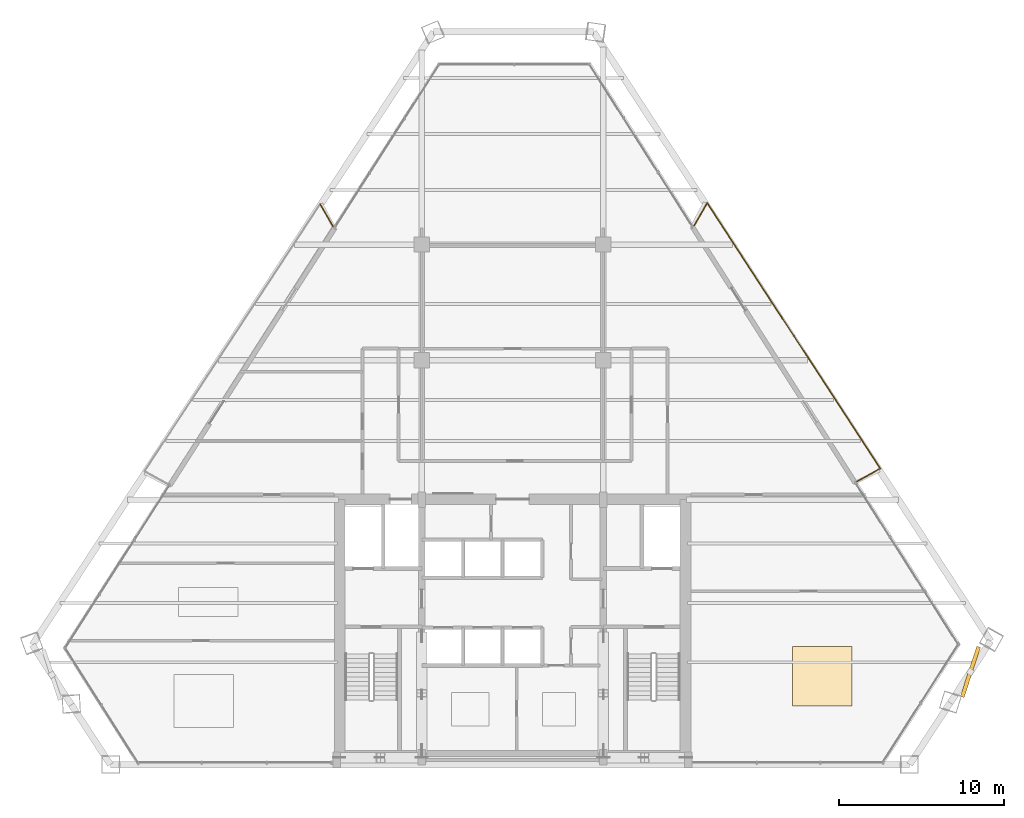
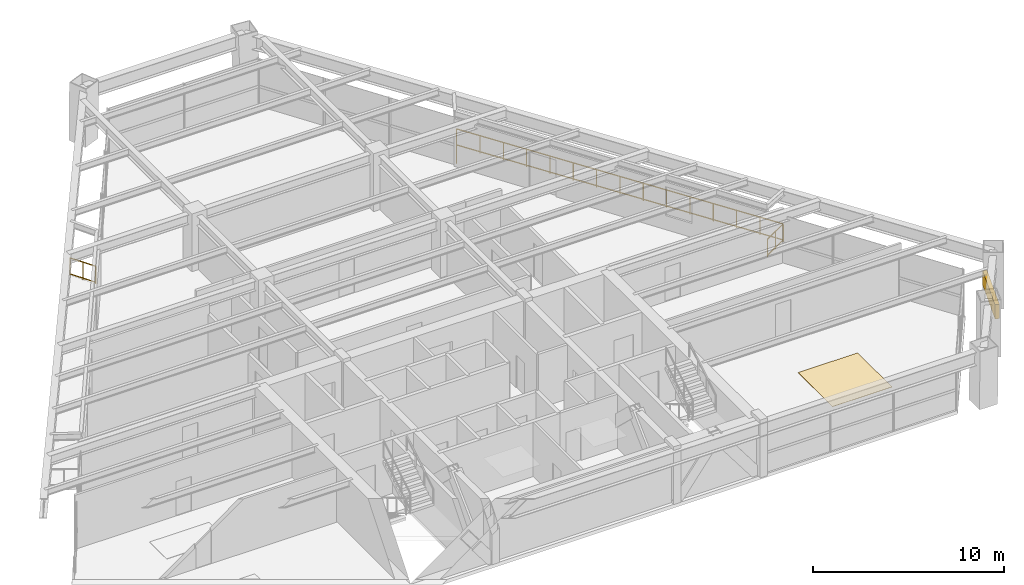
# One storey, part 15 of 15: 4 railings, 1 covering, 1 shading device.
"""IFC4 building model written with IfcOpenShell, lengths in metres."""

from ifc_helpers import new_model, si_unit, direction, frame, origin, origin_2d, place, context, subcontext, project, spatial, rectangle, extrude, source, transform, mapped, material, layer, layer_set, type_object, type_shapes, element, save


model = new_model("IFC4")

# Units and contexts
model_context = context("Model", 3, precision=1e-05, world=origin(), true_north=direction((0.0, 1.0)))
body_context = subcontext(model_context, "Body", "Model", "MODEL_VIEW")
ifc_project = project(units=[si_unit("LENGTHUNIT", "METRE"), si_unit("AREAUNIT", "SQUARE_METRE"), si_unit("VOLUMEUNIT", "CUBIC_METRE"), si_unit("PLANEANGLEUNIT", "RADIAN"), si_unit("MASSUNIT", "GRAM", prefix="KILO")], contexts=[model_context])

# Site, building, storey
site_placement = place(None, origin())
site = spatial("IfcSite", under=ifc_project, at=site_placement, CompositionType="ELEMENT")
building_placement = place(site_placement, origin())
building = spatial("IfcBuilding", under=site, at=building_placement, Name="Varnakhor Terracotta Tower", CompositionType="ELEMENT")
storey_placement = place(building_placement, frame((0.0, 0.0, 155.199951171875)))
storey = spatial("IfcBuildingStorey", under=building, at=storey_placement, Name="L39", CompositionType="ELEMENT", Elevation=155.199951171875)

# Railings
ifc_material_1 = material(Name="Stainless Steel & Laminated Glass Guardrail", Category="steel")
railing_type = type_object("IfcRailingType", Name="RLG-LOGGIA-GUARD-1150", PredefinedType="GUARDRAIL", material=ifc_material_1)
railing_1_placement = place(storey_placement, frame((11.00732421875, 32.6630859375, 0.0)))
element("IfcRailing", 1, at=railing_1_placement, inside=storey, type_object=railing_type, Name="L39 E Loggia Glass Guard 1", PredefinedType="GUARDRAIL", context=body_context, shape_type="SweptSolid", body=[
    extrude(rectangle(XDim=0.048095703125, YDim=0.048095703125, at=origin_2d()), frame((0.0, 0.0, 1.1259765625), z_axis=(0.500355358623, 0.865820140155, 0.0), x_axis=(-0.865820140155, 0.500355358623, 0.0)), (0.0, 0.0, 1.0), 1.569091796875),
    extrude(rectangle(XDim=0.048095703125, YDim=0.048095703125, at=origin_2d()), frame((0.0, 0.0, 0.10009765625), z_axis=(0.500355358623, 0.865820140155, 0.0), x_axis=(-0.865820140155, 0.500355358623, 0.0)), (0.0, 0.0, 1.0), 1.569091796875),
    extrude(rectangle(XDim=0.0419921875, YDim=0.0419921875, at=origin_2d()), origin(), (0.0, 0.0, 1.0), 1.101806640625),
    extrude(rectangle(XDim=0.0419921875, YDim=0.0419921875, at=origin_2d()), frame((0.392578125, 0.67919921875, 0.0)), (0.0, 0.0, 1.0), 1.101806640625),
    extrude(rectangle(XDim=0.0419921875, YDim=0.0419921875, at=origin_2d()), frame((0.78515625, 1.358642578125, 0.0)), (0.0, 0.0, 1.0), 1.101806640625),
])
railing_2_placement = place(storey_placement, frame((11.79248046875, 34.021728515625, 0.0)))
element("IfcRailing", 2, at=railing_2_placement, inside=storey, type_object=railing_type, Name="L39 E Loggia Glass Guard 2", PredefinedType="GUARDRAIL", context=body_context, shape_type="SweptSolid", body=[
    extrude(rectangle(XDim=0.048095703125, YDim=0.048095703125, at=origin_2d()), frame((0.0, 0.0, 1.1259765625), z_axis=(0.546115697511, -0.837709761751, 0.0), x_axis=(0.837709761751, 0.546115697511, 0.0)), (0.0, 0.0, 1.0), 19.19677734375),
    extrude(rectangle(XDim=0.048095703125, YDim=0.048095703125, at=origin_2d()), frame((0.0, 0.0, 0.10009765625), z_axis=(0.546115697511, -0.837709761751, 0.0), x_axis=(0.837709761751, 0.546115697511, 0.0)), (0.0, 0.0, 1.0), 19.19677734375),
    extrude(rectangle(XDim=0.0419921875, YDim=0.0419921875, at=origin_2d()), origin(), (0.0, 0.0, 1.0), 1.101806640625),
    extrude(rectangle(XDim=0.0419921875, YDim=0.0419921875, at=origin_2d()), frame((0.748779296875, -1.148681640625, 0.0)), (0.0, 0.0, 1.0), 1.101806640625),
    extrude(rectangle(XDim=0.0419921875, YDim=0.0419921875, at=origin_2d()), frame((1.49755859375, -2.29736328125, 0.0)), (0.0, 0.0, 1.0), 1.101806640625),
    extrude(rectangle(XDim=0.0419921875, YDim=0.0419921875, at=origin_2d()), frame((2.24658203125, -3.446044921875, 0.0)), (0.0, 0.0, 1.0), 1.101806640625),
    extrude(rectangle(XDim=0.0419921875, YDim=0.0419921875, at=origin_2d()), frame((2.995361328125, -4.5947265625, 0.0)), (0.0, 0.0, 1.0), 1.101806640625),
    extrude(rectangle(XDim=0.0419921875, YDim=0.0419921875, at=origin_2d()), frame((3.744140625, -5.743408203125, 0.0)), (0.0, 0.0, 1.0), 1.101806640625),
    extrude(rectangle(XDim=0.0419921875, YDim=0.0419921875, at=origin_2d()), frame((4.492919921875, -6.89208984375, 0.0)), (0.0, 0.0, 1.0), 1.101806640625),
    extrude(rectangle(XDim=0.0419921875, YDim=0.0419921875, at=origin_2d()), frame((5.24169921875, -8.04052734375, 0.0)), (0.0, 0.0, 1.0), 1.101806640625),
    extrude(rectangle(XDim=0.0419921875, YDim=0.0419921875, at=origin_2d()), frame((5.99072265625, -9.189208984375, 0.0)), (0.0, 0.0, 1.0), 1.101806640625),
    extrude(rectangle(XDim=0.0419921875, YDim=0.0419921875, at=origin_2d()), frame((6.739501953125, -10.337890625, 0.0)), (0.0, 0.0, 1.0), 1.101806640625),
    extrude(rectangle(XDim=0.0419921875, YDim=0.0419921875, at=origin_2d()), frame((7.48828125, -11.486572265625, 0.0)), (0.0, 0.0, 1.0), 1.101806640625),
    extrude(rectangle(XDim=0.0419921875, YDim=0.0419921875, at=origin_2d()), frame((8.237060546875, -12.63525390625, 0.0)), (0.0, 0.0, 1.0), 1.101806640625),
    extrude(rectangle(XDim=0.0419921875, YDim=0.0419921875, at=origin_2d()), frame((8.986083984375, -13.783935546875, 0.0)), (0.0, 0.0, 1.0), 1.101806640625),
    extrude(rectangle(XDim=0.0419921875, YDim=0.0419921875, at=origin_2d()), frame((9.73486328125, -14.9326171875, 0.0)), (0.0, 0.0, 1.0), 1.101806640625),
    extrude(rectangle(XDim=0.0419921875, YDim=0.0419921875, at=origin_2d()), frame((10.483642578125, -16.081298828125, 0.0)), (0.0, 0.0, 1.0), 1.101806640625),
])
railing_3_placement = place(storey_placement, frame((22.276123046875, 17.9404296875, 0.0)))
element("IfcRailing", 3, at=railing_3_placement, inside=storey, type_object=railing_type, Name="L39 E Loggia Glass Guard 3", PredefinedType="GUARDRAIL", context=body_context, shape_type="SweptSolid", body=[
    extrude(rectangle(XDim=0.048095703125, YDim=0.048095703125, at=origin_2d()), frame((0.0, 0.0, 1.1259765625), z_axis=(-0.872105188115, -0.489318445252, 0.0), x_axis=(0.489318445252, -0.872105188115, 0.0)), (0.0, 0.0, 1.0), 1.611083984375),
    extrude(rectangle(XDim=0.048095703125, YDim=0.048095703125, at=origin_2d()), frame((0.0, 0.0, 0.10009765625), z_axis=(-0.872105188115, -0.489318445252, 0.0), x_axis=(0.489318445252, -0.872105188115, 0.0)), (0.0, 0.0, 1.0), 1.611083984375),
    extrude(rectangle(XDim=0.0419921875, YDim=0.0419921875, at=origin_2d()), origin(), (0.0, 0.0, 1.0), 1.101806640625),
    extrude(rectangle(XDim=0.0419921875, YDim=0.0419921875, at=origin_2d()), frame((-0.70263671875, -0.39404296875, 0.0)), (0.0, 0.0, 1.0), 1.101806640625),
    extrude(rectangle(XDim=0.0419921875, YDim=0.0419921875, at=origin_2d()), frame((-1.405029296875, -0.788330078125, 0.0)), (0.0, 0.0, 1.0), 1.101806640625),
])
railing_4_placement = place(storey_placement, frame((-11.662109375, 33.9580078125, 0.0)))
element("IfcRailing", 4, at=railing_4_placement, inside=storey, type_object=railing_type, Name="L39 W Loggia Glass Guard 3", PredefinedType="GUARDRAIL", context=body_context, shape_type="SweptSolid", body=[
    extrude(rectangle(XDim=0.048095703125, YDim=0.048095703125, at=origin_2d()), frame((0.0, 0.0, 1.1259765625), z_axis=(0.502495993349, -0.864579537503, 0.0), x_axis=(0.864579537503, 0.502495993349, 0.0)), (0.0, 0.0, 1.0), 1.568359375),
    extrude(rectangle(XDim=0.048095703125, YDim=0.048095703125, at=origin_2d()), frame((0.0, 0.0, 0.10009765625), z_axis=(0.502495993349, -0.864579537503, 0.0), x_axis=(0.864579537503, 0.502495993349, 0.0)), (0.0, 0.0, 1.0), 1.568359375),
    extrude(rectangle(XDim=0.0419921875, YDim=0.0419921875, at=origin_2d()), origin(), (0.0, 0.0, 1.0), 1.101806640625),
    extrude(rectangle(XDim=0.0419921875, YDim=0.0419921875, at=origin_2d()), frame((0.39404296875, -0.677978515625, 0.0)), (0.0, 0.0, 1.0), 1.101806640625),
    extrude(rectangle(XDim=0.0419921875, YDim=0.0419921875, at=origin_2d()), frame((0.7880859375, -1.35595703125, 0.0)), (0.0, 0.0, 1.0), 1.101806640625),
])

# Shading device
ifc_material_2 = material(Name="Extruded Architectural Terracotta Screen", Category="masonry")
shading_device_type = type_object("IfcShadingDeviceType", Name="TERRACOTTA SOLAR SCREEN E", PredefinedType="USERDEFINED", material=ifc_material_2)
shared_shape_1 = source(origin(), body_context, "Body", "SweptSolid", [
    extrude(rectangle(XDim=3.199951171875, YDim=0.239990234375, at=origin_2d()), origin(), (0.0, 0.0, 1.0), 0.919921875),
])
type_shapes(shading_device_type, [shared_shape_1])
shading_device_placement = place(storey_placement, frame((27.738525390625, 5.61328125, 1.710205078125), z_axis=(0.0, 0.0, 1.0), x_axis=(0.312533873342, 0.949906615418, 0.0)))
element("IfcShadingDevice", 5, at=shading_device_placement, inside=storey, type_object=shading_device_type, Name="L39 E Terracotta Solar Screen", ObjectType="SCREEN", PredefinedType="USERDEFINED", context=body_context, shape_type="MappedRepresentation", body=[
    mapped(shared_shape_1, transform((0.0, 0.0, 0.0), scale=1.0)),
])

# Covering
ifc_material_3 = material(Name="Honed Riyadh Limestone Flooring", Category="masonry")
ifc_layer = layer(ifc_material_3, 0.030029296875, Name="Honed Riyadh Limestone Flooring")
ifc_layer_set = layer_set([ifc_layer], Name="Honed Riyadh Limestone Flooring")
covering_type = type_object("IfcCoveringType", Name="COV-FLOOR-LIMESTONE", PredefinedType="FLOORING", material=ifc_layer_set)
shared_shape_2 = source(origin(), body_context, "Body", "SweptSolid", [
    extrude(rectangle(XDim=3.60009765625, YDim=3.60009765625, at=origin_2d()), origin(), (0.0, 0.0, 1.0), 0.02001953125),
])
covering_placement = place(storey_placement, frame((18.757080078125, 5.35205078125, 0.0), z_axis=(0.0, 0.0, 1.0), x_axis=(1.0, 0.0, 0.0)))
element("IfcCovering", 6, at=covering_placement, inside=storey, type_object=covering_type, Name="L39 Honed Stone Flooring 4", PredefinedType="FLOORING", context=body_context, shape_type="MappedRepresentation", body=[
    mapped(shared_shape_2, transform((0.0, 0.0, 0.0), scale=1.0)),
])

save(model, "model.ifc")
